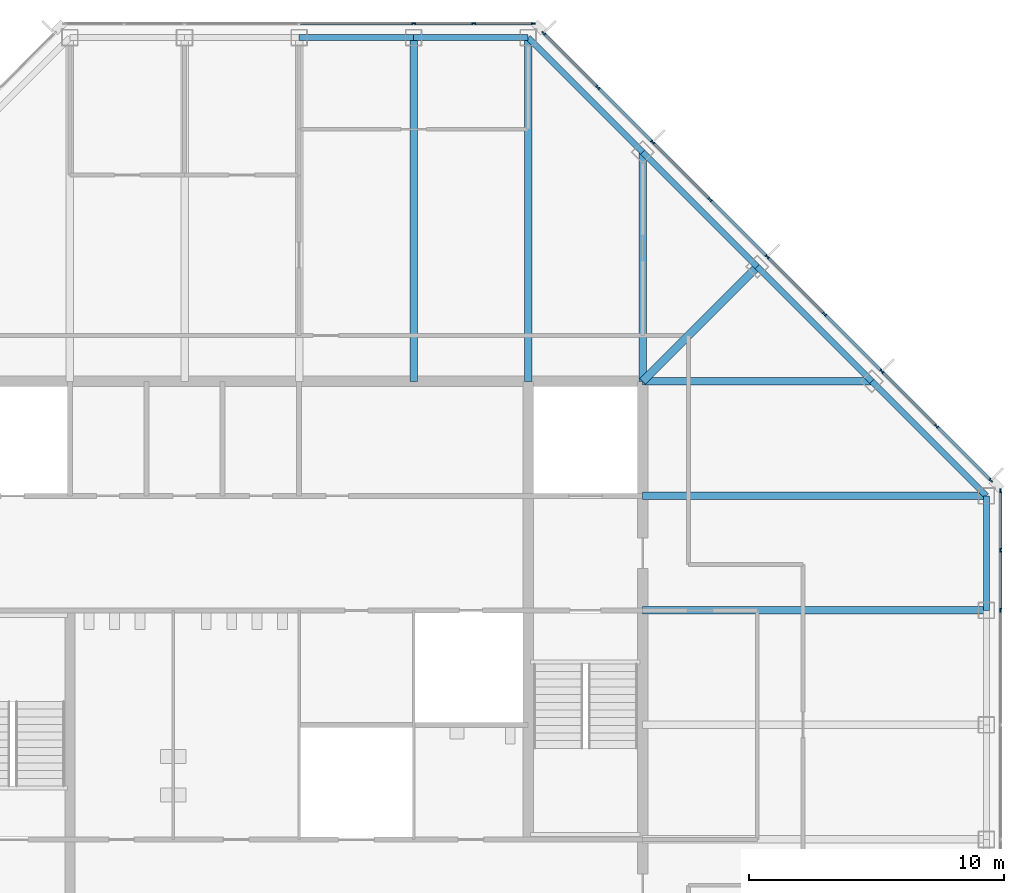
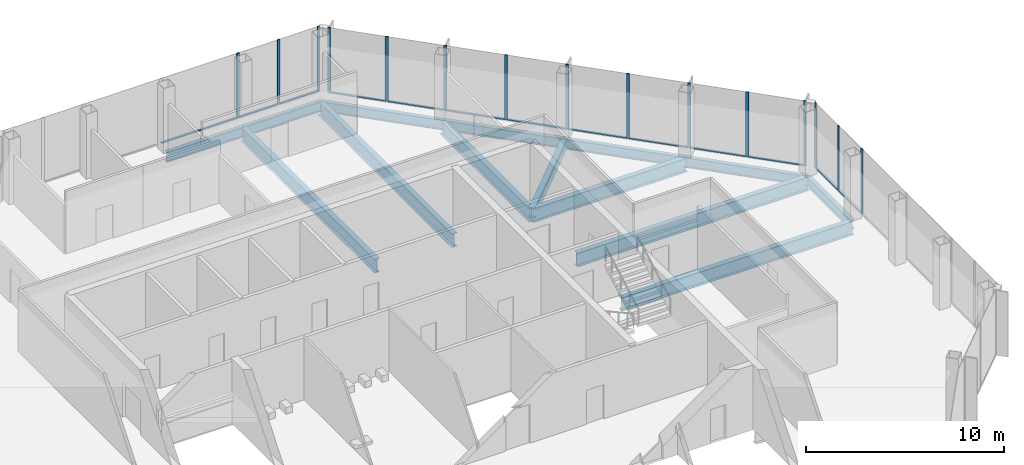
# One storey, part 7 of 13: 28 members, 14 beams, 3 elements without a shape of their own.
"""IFC4 building model written with IfcOpenShell, lengths in metres."""

from ifc_helpers import new_model, si_unit, direction, frame, origin, origin_2d, place, context, subcontext, project, spatial, rectangle, i_section, extrude, material, material_profile, profile_set, type_object, element, aggregate, save


model = new_model("IFC4")

# Units and contexts
model_context = context("Model", 3, precision=1e-05, world=origin(), true_north=direction((0.0, 1.0)))
body_context = subcontext(model_context, "Body", "Model", "MODEL_VIEW")
ifc_project = project(units=[si_unit("LENGTHUNIT", "METRE"), si_unit("AREAUNIT", "SQUARE_METRE"), si_unit("VOLUMEUNIT", "CUBIC_METRE"), si_unit("PLANEANGLEUNIT", "RADIAN"), si_unit("MASSUNIT", "GRAM", prefix="KILO")], contexts=[model_context])

# Site, building, storey
site_placement = place(None, origin())
site = spatial("IfcSite", under=ifc_project, at=site_placement, CompositionType="ELEMENT")
building_placement = place(site_placement, origin())
building = spatial("IfcBuilding", under=site, at=building_placement, Name="Corais Broadcast Tower", CompositionType="ELEMENT")
storey_placement = place(building_placement, frame((0.0, 0.0, 226.60009765625)))
storey = spatial("IfcBuildingStorey", under=building, at=storey_placement, Name="L52", CompositionType="ELEMENT", Elevation=226.60009765625)

# Beams
ifc_material_1 = material(Name="Steel ASTM A572 Grade 50", Category="steel")
ifc_material_profile_1 = material_profile(ifc_material_1, i_section(OverallWidth=0.323974609375, OverallDepth=0.611083984375, WebThickness=0.0126953125, FlangeThickness=0.01904296875, at=origin_2d()), Name="W610x155")
ifc_profile_set_1 = profile_set([ifc_material_profile_1], Name="Steel ASTM A572 Grade 50")
beam_type_1 = type_object("IfcBeamType", Name="Corner diagonal W610x155", PredefinedType="BEAM", material=ifc_profile_set_1)
beam_1_placement = place(storey_placement, frame((45.0, 45.0, -0.465576171875), z_axis=(-0.707106781187, -0.707106781187, 0.0), x_axis=(0.707106781187, -0.707106781187, 0.0)))
element("IfcBeam", 1, at=beam_1_placement, inside=storey, type_object=beam_type_1, Name="B6 L/13 to K/12", PredefinedType="BEAM", context=body_context, shape_type="SweptSolid", body=[
    extrude(i_section(OverallWidth=0.323974609375, OverallDepth=0.611083984375, WebThickness=0.0126953125, FlangeThickness=0.01904296875, at=origin_2d()), origin(), (0.0, 0.0, 1.0), 6.364013671875),
])
ifc_material_2 = material(Name="Steel ASTM A572 Grade 50", Category="steel")
ifc_material_profile_2 = material_profile(ifc_material_2, i_section(OverallWidth=0.2939453125, OverallDepth=0.85107421875, WebThickness=0.01611328125, FlangeThickness=0.02685546875, at=origin_2d()), Name="W840x226")
ifc_profile_set_2 = profile_set([ifc_material_profile_2], Name="Steel ASTM A572 Grade 50")
beam_type_2 = type_object("IfcBeamType", Name="Floor beam W840x226", PredefinedType="BEAM", material=ifc_profile_set_2)
for number, where, z_axis, x_axis, name in (
    (2, (31.5, 54.0, -0.585693359375), (0.0, -1.0, 0.0), (1.0, 0.0, 0.0), "B1 N/10 to K/10"),
    (3, (36.0, 54.0, -0.585693359375), (0.0, -1.0, 0.0), (1.0, 0.0, 0.0), "B1 N/11 to K/11"),
):
    element("IfcBeam", number, at=place(storey_placement, frame(where, z_axis=z_axis, x_axis=x_axis)), inside=storey, type_object=beam_type_2, Name=name, PredefinedType="BEAM", context=body_context, shape_type="SweptSolid", body=[
        extrude(i_section(OverallWidth=0.2939453125, OverallDepth=0.85107421875, WebThickness=0.01611328125, FlangeThickness=0.02685546875, at=origin_2d()), origin(), (0.0, 0.0, 1.0), 13.5),
    ])
for number, where, z_axis, x_axis, name in (
    (4, (40.5, 49.5, -0.585693359375), (0.0, -1.0, 0.0), (1.0, 0.0, 0.0), "B1 M/12 to K/12"),
    (5, (49.5, 40.5, -0.585693359375), (-1.0, 0.0, 0.0), (0.0, -1.0, 0.0), "B1 K/14 to K/12"),
):
    element("IfcBeam", number, at=place(storey_placement, frame(where, z_axis=z_axis, x_axis=x_axis)), inside=storey, type_object=beam_type_2, Name=name, PredefinedType="BEAM", context=body_context, shape_type="SweptSolid", body=[
        extrude(i_section(OverallWidth=0.2939453125, OverallDepth=0.85107421875, WebThickness=0.01611328125, FlangeThickness=0.02685546875, at=origin_2d()), origin(), (0.0, 0.0, 1.0), 9.0),
    ])
for number, where, z_axis, x_axis, name in (
    (6, (54.0, 31.5, -0.585693359375), (-1.0, 0.0, 0.0), (0.0, -1.0, 0.0), "B1 H/15 to H/12"),
    (7, (54.0, 36.0, -0.585693359375), (-1.0, 0.0, 0.0), (0.0, -1.0, 0.0), "B1 J/15 to J/12"),
):
    element("IfcBeam", number, at=place(storey_placement, frame(where, z_axis=z_axis, x_axis=x_axis)), inside=storey, type_object=beam_type_2, Name=name, PredefinedType="BEAM", context=body_context, shape_type="SweptSolid", body=[
        extrude(i_section(OverallWidth=0.2939453125, OverallDepth=0.85107421875, WebThickness=0.01611328125, FlangeThickness=0.02685546875, at=origin_2d()), origin(), (0.0, 0.0, 1.0), 13.5),
    ])

# Curtain wall, members
ifc_material_3 = material(Name="Aluminium and glass", Category="aluminium")
curtain_wall_type = type_object("IfcCurtainWallType", Name="Unitised fritted curtain wall CW3", PredefinedType="NOTDEFINED", material=ifc_material_3)
curtain_wall_1_placement = place(storey_placement, origin())
curtain_wall_1 = element("IfcCurtainWall", 8, at=curtain_wall_1_placement, inside=storey, type_object=curtain_wall_type, Name="CW3 curtain wall L52 4", PredefinedType="NOTDEFINED")
ifc_material_4 = material(Name="Aluminium 6063-T6", Category="aluminium")
ifc_material_profile_3 = material_profile(ifc_material_4, rectangle(XDim=0.06494140625, YDim=0.159912109375, at=origin_2d()), Name="Mullion CW3 65x160")
ifc_profile_set_3 = profile_set([ifc_material_profile_3], Name="Aluminium 6063-T6")
member_type_1 = type_object("IfcMemberType", Name="Mullion CW3 65x160", PredefinedType="MULLION", material=ifc_profile_set_3)
member_1_placement = place(storey_placement, frame((31.5, 54.550048828125, 0.0), z_axis=(0.0, 0.0, 1.0), x_axis=(0.0, 1.0, 0.0)))
member_1 = element("IfcMember", 9, at=member_1_placement, type_object=member_type_1, Name="CW3 mullion 5", PredefinedType="MULLION", context=body_context, shape_type="SweptSolid", body=[
    extrude(rectangle(XDim=0.06494140625, YDim=0.159912109375, at=origin_2d()), origin(), (0.0, 0.0, 1.0), 4.0),
])
member_2_placement = place(storey_placement, frame((33.864013671875, 54.550048828125, 0.0), z_axis=(0.0, 0.0, 1.0), x_axis=(0.0, 1.0, 0.0)))
member_2 = element("IfcMember", 10, at=member_2_placement, type_object=member_type_1, Name="CW3 mullion 6", PredefinedType="MULLION", context=body_context, shape_type="SweptSolid", body=[
    extrude(rectangle(XDim=0.06494140625, YDim=0.159912109375, at=origin_2d()), origin(), (0.0, 0.0, 1.0), 4.0),
])
member_3_placement = place(storey_placement, frame((36.1953125, 54.550048828125, 0.0), z_axis=(0.0, 0.0, 1.0), x_axis=(0.0, 1.0, 0.0)))
member_3 = element("IfcMember", 11, at=member_3_placement, type_object=member_type_1, Name="CW3 mullion 7", PredefinedType="MULLION", context=body_context, shape_type="SweptSolid", body=[
    extrude(rectangle(XDim=0.06494140625, YDim=0.159912109375, at=origin_2d()), origin(), (0.0, 0.0, 1.0), 4.0),
])

curtain_wall_2_placement = place(storey_placement, origin())
curtain_wall_2 = element("IfcCurtainWall", 12, at=curtain_wall_2_placement, inside=storey, type_object=curtain_wall_type, Name="CW3 curtain wall L52 5", PredefinedType="NOTDEFINED")
member_4_placement = place(storey_placement, frame((36.6044921875, 54.17333984375, 0.0), z_axis=(0.0, 0.0, 1.0), x_axis=(0.707106781187, 0.707106781187, 0.0)))
member_4 = element("IfcMember", 13, at=member_4_placement, type_object=member_type_1, Name="CW3 mullion 1", PredefinedType="MULLION", context=body_context, shape_type="SweptSolid", body=[
    extrude(rectangle(XDim=0.06494140625, YDim=0.159912109375, at=origin_2d()), origin(), (0.0, 0.0, 1.0), 4.0),
])
member_5_placement = place(storey_placement, frame((38.735107421875, 52.042724609375, 0.0), z_axis=(0.0, 0.0, 1.0), x_axis=(0.707106781187, 0.707106781187, 0.0)))
member_5 = element("IfcMember", 14, at=member_5_placement, type_object=member_type_1, Name="CW3 mullion 2", PredefinedType="MULLION", context=body_context, shape_type="SweptSolid", body=[
    extrude(rectangle(XDim=0.06494140625, YDim=0.159912109375, at=origin_2d()), origin(), (0.0, 0.0, 1.0), 4.0),
])
member_6_placement = place(storey_placement, frame((40.888916015625, 49.888916015625, 0.0), z_axis=(0.0, 0.0, 1.0), x_axis=(0.707106781187, 0.707106781187, 0.0)))
member_6 = element("IfcMember", 15, at=member_6_placement, type_object=member_type_1, Name="CW3 mullion 3", PredefinedType="MULLION", context=body_context, shape_type="SweptSolid", body=[
    extrude(rectangle(XDim=0.06494140625, YDim=0.159912109375, at=origin_2d()), origin(), (0.0, 0.0, 1.0), 4.0),
])
member_7_placement = place(storey_placement, frame((43.138916015625, 47.638916015625, 0.0), z_axis=(0.0, 0.0, 1.0), x_axis=(0.707106781187, 0.707106781187, 0.0)))
member_7 = element("IfcMember", 16, at=member_7_placement, type_object=member_type_1, Name="CW3 mullion 4", PredefinedType="MULLION", context=body_context, shape_type="SweptSolid", body=[
    extrude(rectangle(XDim=0.06494140625, YDim=0.159912109375, at=origin_2d()), origin(), (0.0, 0.0, 1.0), 4.0),
])
member_8_placement = place(storey_placement, frame((45.388916015625, 45.388916015625, 0.0), z_axis=(0.0, 0.0, 1.0), x_axis=(0.707106781187, 0.707106781187, 0.0)))
member_8 = element("IfcMember", 17, at=member_8_placement, type_object=member_type_1, Name="CW3 mullion 5", PredefinedType="MULLION", context=body_context, shape_type="SweptSolid", body=[
    extrude(rectangle(XDim=0.06494140625, YDim=0.159912109375, at=origin_2d()), origin(), (0.0, 0.0, 1.0), 4.0),
])
member_9_placement = place(storey_placement, frame((47.638916015625, 43.138916015625, 0.0), z_axis=(0.0, 0.0, 1.0), x_axis=(0.707106781187, 0.707106781187, 0.0)))
member_9 = element("IfcMember", 18, at=member_9_placement, type_object=member_type_1, Name="CW3 mullion 6", PredefinedType="MULLION", context=body_context, shape_type="SweptSolid", body=[
    extrude(rectangle(XDim=0.06494140625, YDim=0.159912109375, at=origin_2d()), origin(), (0.0, 0.0, 1.0), 4.0),
])
member_10_placement = place(storey_placement, frame((49.888916015625, 40.888916015625, 0.0), z_axis=(0.0, 0.0, 1.0), x_axis=(0.707106781187, 0.707106781187, 0.0)))
member_10 = element("IfcMember", 19, at=member_10_placement, type_object=member_type_1, Name="CW3 mullion 7", PredefinedType="MULLION", context=body_context, shape_type="SweptSolid", body=[
    extrude(rectangle(XDim=0.06494140625, YDim=0.159912109375, at=origin_2d()), origin(), (0.0, 0.0, 1.0), 4.0),
])
member_11_placement = place(storey_placement, frame((52.042724609375, 38.735107421875, 0.0), z_axis=(0.0, 0.0, 1.0), x_axis=(0.707106781187, 0.707106781187, 0.0)))
member_11 = element("IfcMember", 20, at=member_11_placement, type_object=member_type_1, Name="CW3 mullion 8", PredefinedType="MULLION", context=body_context, shape_type="SweptSolid", body=[
    extrude(rectangle(XDim=0.06494140625, YDim=0.159912109375, at=origin_2d()), origin(), (0.0, 0.0, 1.0), 4.0),
])
member_12_placement = place(storey_placement, frame((54.17333984375, 36.6044921875, 0.0), z_axis=(0.0, 0.0, 1.0), x_axis=(0.707106781187, 0.707106781187, 0.0)))
member_12 = element("IfcMember", 21, at=member_12_placement, type_object=member_type_1, Name="CW3 mullion 9", PredefinedType="MULLION", context=body_context, shape_type="SweptSolid", body=[
    extrude(rectangle(XDim=0.06494140625, YDim=0.159912109375, at=origin_2d()), origin(), (0.0, 0.0, 1.0), 4.0),
])

curtain_wall_3_placement = place(storey_placement, origin())
curtain_wall_3 = element("IfcCurtainWall", 22, at=curtain_wall_3_placement, inside=storey, type_object=curtain_wall_type, Name="CW3 curtain wall L52 6", PredefinedType="NOTDEFINED")
member_13_placement = place(storey_placement, frame((54.550048828125, 36.1953125, 0.0), z_axis=(0.0, 0.0, 1.0), x_axis=(1.0, 0.0, 0.0)))
member_13 = element("IfcMember", 23, at=member_13_placement, type_object=member_type_1, Name="CW3 mullion 1", PredefinedType="MULLION", context=body_context, shape_type="SweptSolid", body=[
    extrude(rectangle(XDim=0.06494140625, YDim=0.159912109375, at=origin_2d()), origin(), (0.0, 0.0, 1.0), 4.0),
])
member_14_placement = place(storey_placement, frame((54.550048828125, 33.864013671875, 0.0), z_axis=(0.0, 0.0, 1.0), x_axis=(1.0, 0.0, 0.0)))
member_14 = element("IfcMember", 24, at=member_14_placement, type_object=member_type_1, Name="CW3 mullion 2", PredefinedType="MULLION", context=body_context, shape_type="SweptSolid", body=[
    extrude(rectangle(XDim=0.06494140625, YDim=0.159912109375, at=origin_2d()), origin(), (0.0, 0.0, 1.0), 4.0),
])
member_15_placement = place(storey_placement, frame((54.550048828125, 31.5, 0.0), z_axis=(0.0, 0.0, 1.0), x_axis=(1.0, 0.0, 0.0)))
member_15 = element("IfcMember", 25, at=member_15_placement, type_object=member_type_1, Name="CW3 mullion 3", PredefinedType="MULLION", context=body_context, shape_type="SweptSolid", body=[
    extrude(rectangle(XDim=0.06494140625, YDim=0.159912109375, at=origin_2d()), origin(), (0.0, 0.0, 1.0), 4.0),
])

# Beams
ifc_material_5 = material(Name="Steel ASTM A572 Grade 50", Category="steel")
ifc_material_profile_4 = material_profile(ifc_material_5, i_section(OverallWidth=0.22998046875, OverallDepth=0.616943359375, WebThickness=0.01318359375, FlangeThickness=0.022216796875, at=origin_2d()), Name="W610x140")
ifc_profile_set_4 = profile_set([ifc_material_profile_4], Name="Steel ASTM A572 Grade 50")
beam_type_3 = type_object("IfcBeamType", Name="Spandrel W610x140", PredefinedType="BEAM", material=ifc_profile_set_4)
for number, where, z_axis, x_axis, name in (
    (26, (31.5, 54.0, -0.468505859375), (-1.0, 0.0, 0.0), (0.0, -1.0, 0.0), "SB3 N/10 to N/9"),
    (27, (36.0, 54.0, -0.468505859375), (-1.0, 0.0, 0.0), (0.0, -1.0, 0.0), "SB3 N/11 to N/10"),
):
    element("IfcBeam", number, at=place(storey_placement, frame(where, z_axis=z_axis, x_axis=x_axis)), inside=storey, type_object=beam_type_3, Name=name, PredefinedType="BEAM", context=body_context, shape_type="SweptSolid", body=[
        extrude(i_section(OverallWidth=0.22998046875, OverallDepth=0.616943359375, WebThickness=0.01318359375, FlangeThickness=0.022216796875, at=origin_2d()), origin(), (0.0, 0.0, 1.0), 4.5),
    ])
for number, where, z_axis, x_axis, name in (
    (28, (40.5, 49.5, -0.468505859375), (-0.707106781187, 0.707106781187, 0.0), (-0.707106781187, -0.707106781187, 0.0), "SB3 M/12 to N/11"),
    (29, (45.0, 45.0, -0.468505859375), (-0.707106781187, 0.707106781187, 0.0), (-0.707106781187, -0.707106781187, 0.0), "SB3 L/13 to M/12"),
    (30, (49.5, 40.5, -0.468505859375), (-0.707106781187, 0.707106781187, 0.0), (-0.707106781187, -0.707106781187, 0.0), "SB3 K/14 to L/13"),
):
    element("IfcBeam", number, at=place(storey_placement, frame(where, z_axis=z_axis, x_axis=x_axis)), inside=storey, type_object=beam_type_3, Name=name, PredefinedType="BEAM", context=body_context, shape_type="SweptSolid", body=[
        extrude(i_section(OverallWidth=0.22998046875, OverallDepth=0.616943359375, WebThickness=0.01318359375, FlangeThickness=0.022216796875, at=origin_2d()), origin(), (0.0, 0.0, 1.0), 6.364013671875),
    ])
beam_2_placement = place(storey_placement, frame((54.0, 31.5, -0.468505859375), z_axis=(0.0, 1.0, 0.0), x_axis=(-1.0, 0.0, 0.0)))
element("IfcBeam", 31, at=beam_2_placement, inside=storey, type_object=beam_type_3, Name="SB3 H/15 to J/15", PredefinedType="BEAM", context=body_context, shape_type="SweptSolid", body=[
    extrude(i_section(OverallWidth=0.22998046875, OverallDepth=0.616943359375, WebThickness=0.01318359375, FlangeThickness=0.022216796875, at=origin_2d()), origin(), (0.0, 0.0, 1.0), 4.5),
])
beam_3_placement = place(storey_placement, frame((54.0, 36.0, -0.468505859375), z_axis=(-0.707106781187, 0.707106781187, 0.0), x_axis=(-0.707106781187, -0.707106781187, 0.0)))
element("IfcBeam", 32, at=beam_3_placement, inside=storey, type_object=beam_type_3, Name="SB3 J/15 to K/14", PredefinedType="BEAM", context=body_context, shape_type="SweptSolid", body=[
    extrude(i_section(OverallWidth=0.22998046875, OverallDepth=0.616943359375, WebThickness=0.01318359375, FlangeThickness=0.022216796875, at=origin_2d()), origin(), (0.0, 0.0, 1.0), 6.364013671875),
])

# Member
ifc_material_6 = material(Name="Aluminium 6063-T6", Category="aluminium")
ifc_material_profile_5 = material_profile(ifc_material_6, rectangle(XDim=0.1201171875, YDim=0.06494140625, at=origin_2d()), Name="Transom CW3 65x120")
ifc_profile_set_5 = profile_set([ifc_material_profile_5], Name="Aluminium 6063-T6")
member_type_2 = type_object("IfcMemberType", Name="Transom CW3 65x120", PredefinedType="USERDEFINED", material=ifc_profile_set_5)
member_16_placement = place(storey_placement, frame((27.032470703125, 54.550048828125, 0.032470703125), z_axis=(1.0, 0.0, 0.0), x_axis=(0.0, 1.0, 0.0)))
member_16 = element("IfcMember", 33, at=member_16_placement, type_object=member_type_2, Name="CW3 transom 4.1", ObjectType="TRANSOM", PredefinedType="USERDEFINED", context=body_context, shape_type="SweptSolid", body=[
    extrude(rectangle(XDim=0.1201171875, YDim=0.06494140625, at=origin_2d()), origin(), (0.0, 0.0, 1.0), 4.43505859375),
])

member_17_placement = place(storey_placement, frame((31.532470703125, 54.550048828125, 0.032470703125), z_axis=(1.0, 0.0, 0.0), x_axis=(0.0, 1.0, 0.0)))
member_17 = element("IfcMember", 34, at=member_17_placement, type_object=member_type_2, Name="CW3 transom 5.1", ObjectType="TRANSOM", PredefinedType="USERDEFINED", context=body_context, shape_type="SweptSolid", body=[
    extrude(rectangle(XDim=0.1201171875, YDim=0.06494140625, at=origin_2d()), origin(), (0.0, 0.0, 1.0), 2.298828125),
])

member_18_placement = place(storey_placement, frame((33.896484375, 54.550048828125, 0.032470703125), z_axis=(1.0, 0.0, 0.0), x_axis=(0.0, 1.0, 0.0)))
member_18 = element("IfcMember", 35, at=member_18_placement, type_object=member_type_2, Name="CW3 transom 6.1", ObjectType="TRANSOM", PredefinedType="USERDEFINED", context=body_context, shape_type="SweptSolid", body=[
    extrude(rectangle(XDim=0.1201171875, YDim=0.06494140625, at=origin_2d()), origin(), (0.0, 0.0, 1.0), 2.266357421875),
])

aggregate(curtain_wall_1, [member_1, member_2, member_3, member_16, member_17, member_18])

member_19_placement = place(storey_placement, frame((36.62744140625, 54.150390625, 0.032470703125), z_axis=(0.707106781187, -0.707106781187, 0.0), x_axis=(0.707106781187, 0.707106781187, 0.0)))
member_19 = element("IfcMember", 36, at=member_19_placement, type_object=member_type_2, Name="CW3 transom 1.1", ObjectType="TRANSOM", PredefinedType="USERDEFINED", context=body_context, shape_type="SweptSolid", body=[
    extrude(rectangle(XDim=0.1201171875, YDim=0.06494140625, at=origin_2d()), origin(), (0.0, 0.0, 1.0), 2.9482421875),
])

member_20_placement = place(storey_placement, frame((38.758056640625, 52.019775390625, 0.032470703125), z_axis=(0.707106781187, -0.707106781187, 0.0), x_axis=(0.707106781187, 0.707106781187, 0.0)))
member_20 = element("IfcMember", 37, at=member_20_placement, type_object=member_type_2, Name="CW3 transom 2.1", ObjectType="TRANSOM", PredefinedType="USERDEFINED", context=body_context, shape_type="SweptSolid", body=[
    extrude(rectangle(XDim=0.1201171875, YDim=0.06494140625, at=origin_2d()), origin(), (0.0, 0.0, 1.0), 2.98095703125),
])

member_21_placement = place(storey_placement, frame((40.911865234375, 49.865966796875, 0.032470703125), z_axis=(0.707106781187, -0.707106781187, 0.0), x_axis=(0.707106781187, 0.707106781187, 0.0)))
member_21 = element("IfcMember", 38, at=member_21_placement, type_object=member_type_2, Name="CW3 transom 3.1", ObjectType="TRANSOM", PredefinedType="USERDEFINED", context=body_context, shape_type="SweptSolid", body=[
    extrude(rectangle(XDim=0.1201171875, YDim=0.06494140625, at=origin_2d()), origin(), (0.0, 0.0, 1.0), 3.1171875),
])

member_22_placement = place(storey_placement, frame((43.161865234375, 47.615966796875, 0.032470703125), z_axis=(0.707106781187, -0.707106781187, 0.0), x_axis=(0.707106781187, 0.707106781187, 0.0)))
member_22 = element("IfcMember", 39, at=member_22_placement, type_object=member_type_2, Name="CW3 transom 4.1", ObjectType="TRANSOM", PredefinedType="USERDEFINED", context=body_context, shape_type="SweptSolid", body=[
    extrude(rectangle(XDim=0.1201171875, YDim=0.06494140625, at=origin_2d()), origin(), (0.0, 0.0, 1.0), 3.1171875),
])

member_23_placement = place(storey_placement, frame((45.411865234375, 45.365966796875, 0.032470703125), z_axis=(0.707106781187, -0.707106781187, 0.0), x_axis=(0.707106781187, 0.707106781187, 0.0)))
member_23 = element("IfcMember", 40, at=member_23_placement, type_object=member_type_2, Name="CW3 transom 5.1", ObjectType="TRANSOM", PredefinedType="USERDEFINED", context=body_context, shape_type="SweptSolid", body=[
    extrude(rectangle(XDim=0.1201171875, YDim=0.06494140625, at=origin_2d()), origin(), (0.0, 0.0, 1.0), 3.1171875),
])

member_24_placement = place(storey_placement, frame((47.661865234375, 43.115966796875, 0.032470703125), z_axis=(0.707106781187, -0.707106781187, 0.0), x_axis=(0.707106781187, 0.707106781187, 0.0)))
member_24 = element("IfcMember", 41, at=member_24_placement, type_object=member_type_2, Name="CW3 transom 6.1", ObjectType="TRANSOM", PredefinedType="USERDEFINED", context=body_context, shape_type="SweptSolid", body=[
    extrude(rectangle(XDim=0.1201171875, YDim=0.06494140625, at=origin_2d()), origin(), (0.0, 0.0, 1.0), 3.1171875),
])

member_25_placement = place(storey_placement, frame((49.911865234375, 40.865966796875, 0.032470703125), z_axis=(0.707065828661, -0.70714773134, 0.0), x_axis=(0.70714773134, 0.707065828661, 0.0)))
member_25 = element("IfcMember", 42, at=member_25_placement, type_object=member_type_2, Name="CW3 transom 7.1", ObjectType="TRANSOM", PredefinedType="USERDEFINED", context=body_context, shape_type="SweptSolid", body=[
    extrude(rectangle(XDim=0.1201171875, YDim=0.06494140625, at=origin_2d()), origin(), (0.0, 0.0, 1.0), 2.98095703125),
])

member_26_placement = place(storey_placement, frame((52.065673828125, 38.712158203125, 0.032470703125), z_axis=(0.707106781187, -0.707106781187, 0.0), x_axis=(0.707106781187, 0.707106781187, 0.0)))
member_26 = element("IfcMember", 43, at=member_26_placement, type_object=member_type_2, Name="CW3 transom 8.1", ObjectType="TRANSOM", PredefinedType="USERDEFINED", context=body_context, shape_type="SweptSolid", body=[
    extrude(rectangle(XDim=0.1201171875, YDim=0.06494140625, at=origin_2d()), origin(), (0.0, 0.0, 1.0), 2.9482421875),
])

aggregate(curtain_wall_2, [member_4, member_5, member_6, member_7, member_8, member_9, member_10, member_11, member_12, member_19, member_20, member_21, member_22, member_23, member_24, member_25, member_26])

member_27_placement = place(storey_placement, frame((54.550048828125, 36.162841796875, 0.032470703125), z_axis=(0.0, -1.0, 0.0), x_axis=(1.0, 0.0, 0.0)))
member_27 = element("IfcMember", 44, at=member_27_placement, type_object=member_type_2, Name="CW3 transom 1.1", ObjectType="TRANSOM", PredefinedType="USERDEFINED", context=body_context, shape_type="SweptSolid", body=[
    extrude(rectangle(XDim=0.1201171875, YDim=0.06494140625, at=origin_2d()), origin(), (0.0, 0.0, 1.0), 2.266357421875),
])

member_28_placement = place(storey_placement, frame((54.550048828125, 33.831298828125, 0.032470703125), z_axis=(0.0, -1.0, 0.0), x_axis=(1.0, 0.0, 0.0)))
member_28 = element("IfcMember", 45, at=member_28_placement, type_object=member_type_2, Name="CW3 transom 2.1", ObjectType="TRANSOM", PredefinedType="USERDEFINED", context=body_context, shape_type="SweptSolid", body=[
    extrude(rectangle(XDim=0.1201171875, YDim=0.06494140625, at=origin_2d()), origin(), (0.0, 0.0, 1.0), 2.298828125),
])

aggregate(curtain_wall_3, [member_13, member_14, member_15, member_27, member_28])

save(model, "model.ifc")
